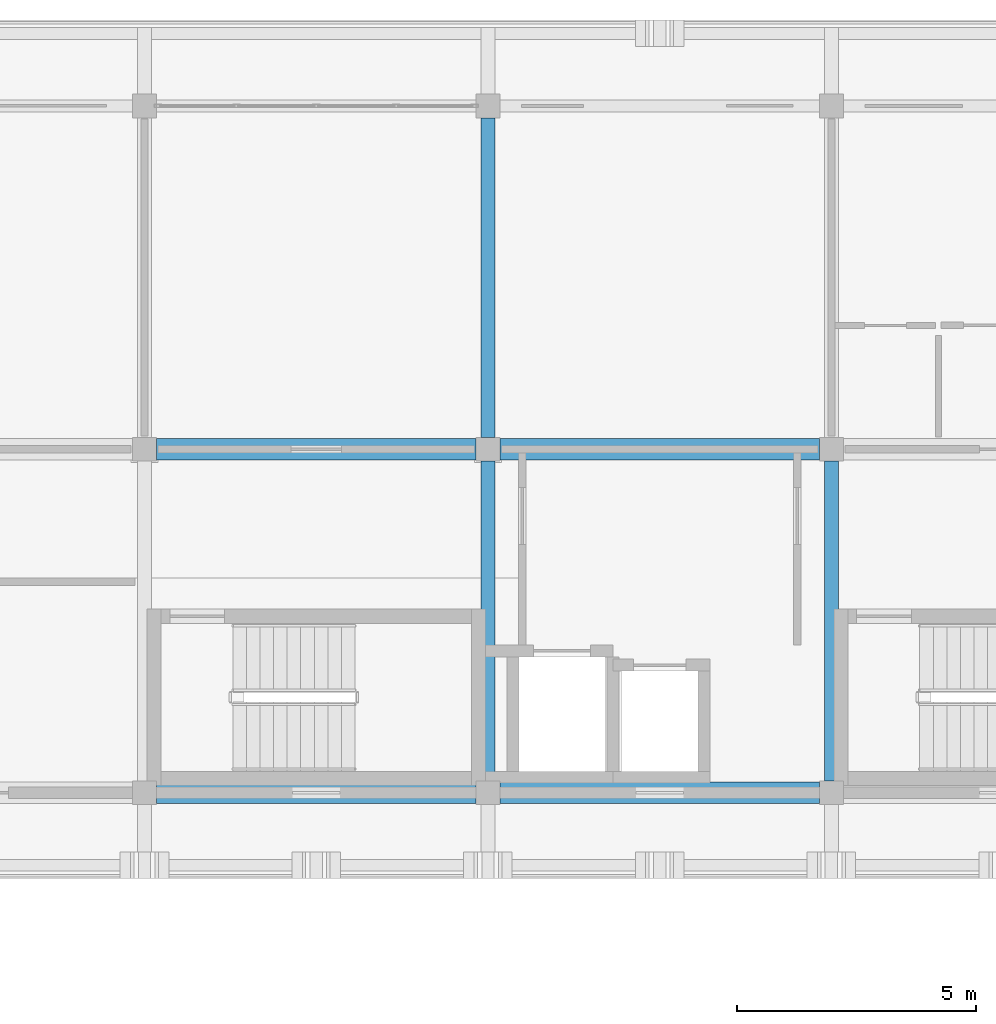
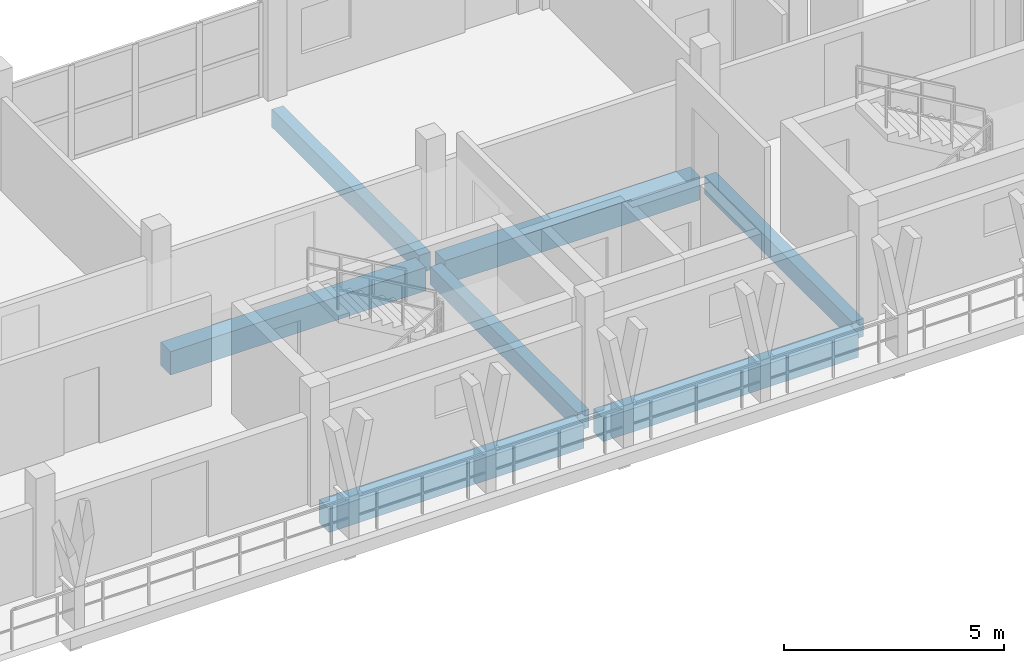
# One storey, part 6 of 19: 7 beams.
"""IFC4 building model written with IfcOpenShell, lengths in metres."""

from ifc_helpers import new_model, si_unit, direction, frame, origin, origin_2d, place, context, subcontext, project, spatial, rectangle, extrude, material, material_profile, profile_set, type_object, element, save


model = new_model("IFC4")

# Units and contexts
model_context = context("Model", 3, precision=1e-05, world=origin(), true_north=direction((0.0, 1.0)))
body_context = subcontext(model_context, "Body", "Model", "MODEL_VIEW")
ifc_project = project(units=[si_unit("LENGTHUNIT", "METRE"), si_unit("AREAUNIT", "SQUARE_METRE"), si_unit("VOLUMEUNIT", "CUBIC_METRE"), si_unit("PLANEANGLEUNIT", "RADIAN"), si_unit("MASSUNIT", "GRAM", prefix="KILO")], contexts=[model_context])

# Site, building, storey
site_placement = place(None, origin())
site = spatial("IfcSite", under=ifc_project, at=site_placement, CompositionType="ELEMENT")
building_placement = place(site_placement, origin())
building = spatial("IfcBuilding", under=site, at=building_placement, Name="Suanplinth Sawtooth Commons", CompositionType="ELEMENT")
storey_placement = place(building_placement, frame((0.0, 0.0, 44.39990234375)))
storey = spatial("IfcBuildingStorey", under=building, at=storey_placement, Name="L13", CompositionType="ELEMENT", Elevation=44.39990234375)

# Beams
ifc_material = material(Name="Precast concrete C40/50", Category="concrete")
ifc_material_profile_1 = material_profile(ifc_material, rectangle(XDim=0.449951171875, YDim=0.64990234375, at=origin_2d()), Name="PC-GDR 450x650")
ifc_profile_set_1 = profile_set([ifc_material_profile_1], Name="Precast concrete C40/50")
beam_type_1 = type_object("IfcBeamType", Name="B-04", PredefinedType="USERDEFINED", material=ifc_profile_set_1)
for number, where, z_axis, x_axis, name in (
    (1, (43.449951171875, 108.0, -0.574951171875), (1.0, 0.0, 0.0), (0.0, 1.0, 0.0), "BMX-L13-A-6-15"),
    (2, (43.449951171875, 115.199951171875, -0.574951171875), (1.0, 0.0, 0.0), (0.0, 1.0, 0.0), "BMX-L13-A-6-16"),
):
    element("IfcBeam", number, at=place(storey_placement, frame(where, z_axis=z_axis, x_axis=x_axis)), inside=storey, type_object=beam_type_1, Name=name, ObjectType="GIRDER", PredefinedType="USERDEFINED", context=body_context, shape_type="SweptSolid", body=[
        extrude(rectangle(XDim=0.449951171875, YDim=0.64990234375, at=origin_2d()), origin(), (0.0, 0.0, 1.0), 6.699951171875),
    ])
for number, where, z_axis, x_axis, name in (
    (3, (50.64990234375, 108.0, -0.574951171875), (1.0, 0.0, 0.0), (0.0, 1.0, 0.0), "BMX-L13-A-7-15"),
    (4, (50.64990234375, 115.199951171875, -0.574951171875), (1.0, 0.0, 0.0), (0.0, 1.0, 0.0), "BMX-L13-A-7-16"),
):
    element("IfcBeam", number, at=place(storey_placement, frame(where, z_axis=z_axis, x_axis=x_axis)), inside=storey, type_object=beam_type_1, Name=name, ObjectType="GIRDER", PredefinedType="USERDEFINED", context=body_context, shape_type="SweptSolid", body=[
        extrude(rectangle(XDim=0.449951171875, YDim=0.64990234375, at=origin_2d()), origin(), (0.0, 0.0, 1.0), 6.7001953125),
    ])
ifc_material_profile_2 = material_profile(ifc_material, rectangle(XDim=0.300048828125, YDim=0.5, at=origin_2d()), Name="PC-BM 300x500")
ifc_profile_set_2 = profile_set([ifc_material_profile_2], Name="Precast concrete C40/50")
beam_type_2 = type_object("IfcBeamType", Name="B-07", PredefinedType="BEAM", material=ifc_profile_set_2)
for number, where, z_axis, x_axis, name in (
    (5, (50.39990234375, 108.25, -0.5), (0.0, 1.0, 0.0), (-1.0, 0.0, 0.0), "BMY-L13-A-7-15"),
    (6, (50.39990234375, 115.449951171875, -0.5), (0.0, 1.0, 0.0), (-1.0, 0.0, 0.0), "BMY-L13-A-7-16"),
    (7, (57.60009765625, 108.25, -0.5), (0.0, 1.0, 0.0), (-1.0, 0.0, 0.0), "BMY-L13-A-8-15"),
):
    element("IfcBeam", number, at=place(storey_placement, frame(where, z_axis=z_axis, x_axis=x_axis)), inside=storey, type_object=beam_type_2, Name=name, PredefinedType="BEAM", context=body_context, shape_type="SweptSolid", body=[
        extrude(rectangle(XDim=0.300048828125, YDim=0.5, at=origin_2d()), origin(), (0.0, 0.0, 1.0), 6.699951171875),
    ])

save(model, "model.ifc")
